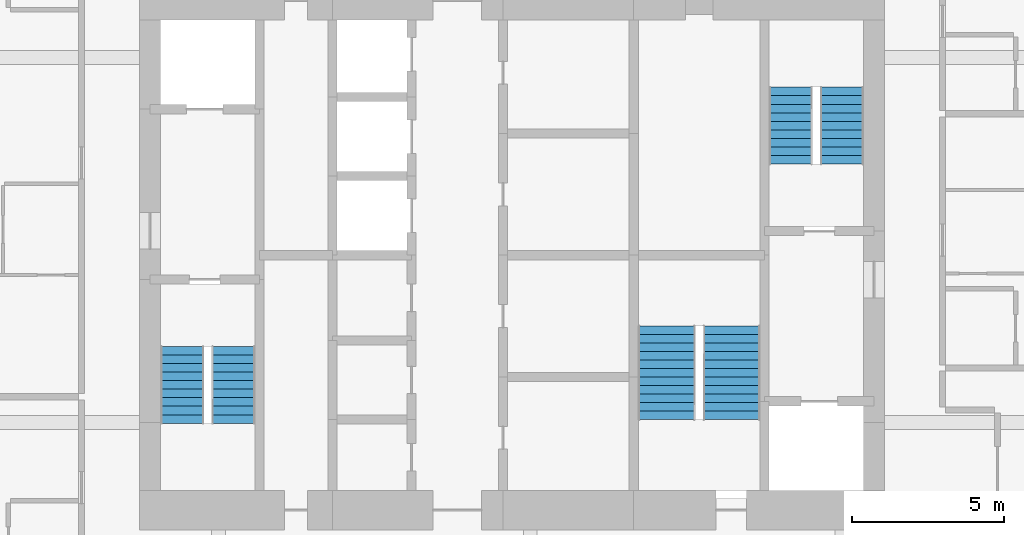
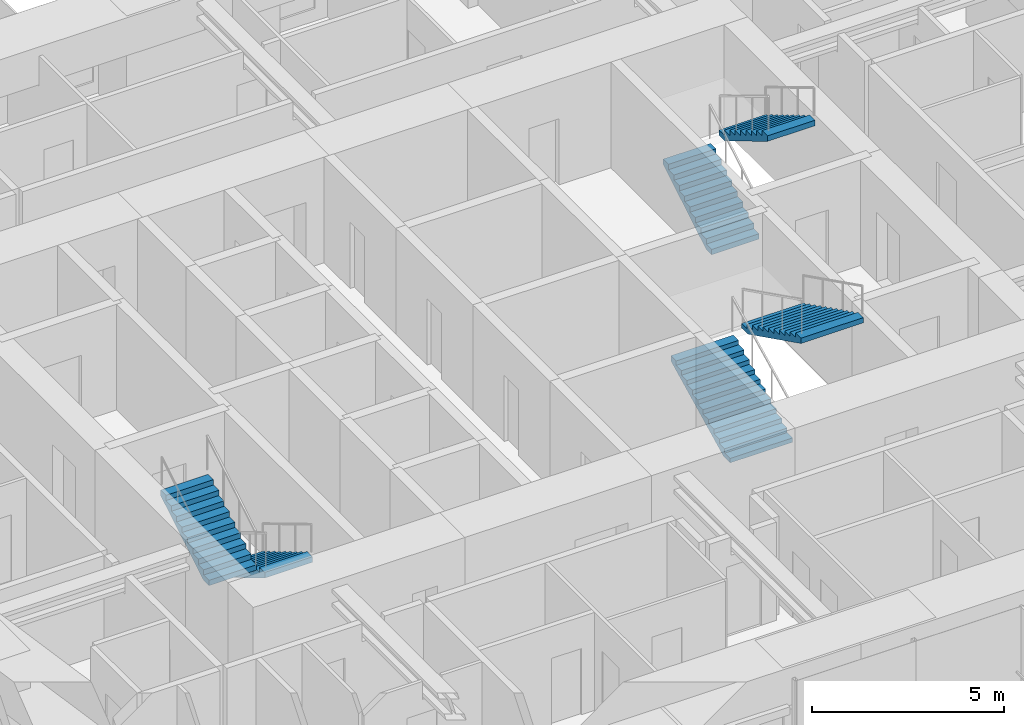
# One storey, part 21 of 22: 6 stair flights, 3 elements without a shape of their own.
"""IFC4 building model written with IfcOpenShell, lengths in metres."""

from ifc_helpers import new_model, si_unit, direction, frame, origin, place, context, subcontext, project, spatial, polyline, outline, extrude, material, type_object, element, aggregate, save


model = new_model("IFC4")

# Units and contexts
model_context = context("Model", 3, precision=1e-05, world=origin(), true_north=direction((0.0, 1.0)))
body_context = subcontext(model_context, "Body", "Model", "MODEL_VIEW")
ifc_project = project(units=[si_unit("LENGTHUNIT", "METRE"), si_unit("AREAUNIT", "SQUARE_METRE"), si_unit("VOLUMEUNIT", "CUBIC_METRE"), si_unit("PLANEANGLEUNIT", "RADIAN"), si_unit("MASSUNIT", "GRAM", prefix="KILO")], contexts=[model_context])

# Site, building, storey
site_placement = place(None, origin())
site = spatial("IfcSite", under=ifc_project, at=site_placement, CompositionType="ELEMENT")
building_placement = place(site_placement, origin())
building = spatial("IfcBuilding", under=site, at=building_placement, Name="Jalousie Tower", CompositionType="ELEMENT")
storey_placement = place(building_placement, frame((0.0, 0.0, 174.449951171875)))
storey = spatial("IfcBuildingStorey", under=building, at=storey_placement, Name="L47", CompositionType="ELEMENT", Elevation=174.449951171875)

# Stair, stair flights
ifc_material_1 = material(Name="Concrete f'c 40 MPa", Category="concrete")
stair_type = type_object("IfcStairType", Name="EXIT STAIR", PredefinedType="HALF_TURN_STAIR", material=ifc_material_1)
stair_1_placement = place(storey_placement, origin())
stair_1 = element("IfcStair", 1, at=stair_1_placement, inside=storey, type_object=stair_type, Name="Exit stair A L47", PredefinedType="HALF_TURN_STAIR")
ifc_material_2 = material(Name="Concrete f'c 40 MPa", Category="concrete")
stair_flight_type = type_object("IfcStairFlightType", Name="STAIR FLIGHT", PredefinedType="STRAIGHT", material=ifc_material_2)
stair_flight_1_placement = place(storey_placement, frame((22.737548828125, 15.49755859375, 0.0), z_axis=(0.0, 0.0, 1.0), x_axis=(0.0, -1.0, 0.0)))
stair_flight_1 = element("IfcStairFlight", 2, at=stair_flight_1_placement, type_object=stair_flight_type, Name="ST-A flight 1", NumberOfRisers=10, NumberOfTreads=9, PredefinedType="STRAIGHT", RiserHeight=0.1675, TreadLength=0.28, context=body_context, shape_type="SweptSolid", body=[
    extrude(outline(polyline([(0.0, 0.0), (0.0, 0.16748046875), (0.280029296875, 0.16748046875), (0.280029296875, 0.3349609375), (0.56005859375, 0.3349609375), (0.56005859375, 0.50244140625), (0.840087890625, 0.50244140625), (0.840087890625, 0.669921875), (1.1201171875, 0.669921875), (1.1201171875, 0.83740234375), (1.39990234375, 0.83740234375), (1.39990234375, 1.0048828125), (1.679931640625, 1.0048828125), (1.679931640625, 1.172607421875), (1.9599609375, 1.172607421875), (1.9599609375, 1.340087890625), (2.239990234375, 1.340087890625), (2.239990234375, 1.507568359375), (2.52001953125, 1.507568359375), (2.52001953125, 1.675048828125), (2.52001953125, 1.332763671875), (0.2919921875, 0.0), (0.0, 0.0)])), frame((0.0, 0.71240234375, 0.0), z_axis=(0.0, -1.0, 0.0), x_axis=(1.0, 0.0, 0.0)), (0.0, 0.0, 1.0), 1.425048828125),
])
stair_flight_2_placement = place(storey_placement, frame((21.0625, 12.9775390625, 1.675048828125), z_axis=(0.0, 0.0, 1.0), x_axis=(0.0, 1.0, 0.0)))
stair_flight_2 = element("IfcStairFlight", 3, at=stair_flight_2_placement, type_object=stair_flight_type, Name="ST-A flight 2", NumberOfRisers=10, NumberOfTreads=9, PredefinedType="STRAIGHT", RiserHeight=0.1675, TreadLength=0.28, context=body_context, shape_type="SweptSolid", body=[
    extrude(outline(polyline([(0.0, 0.0), (0.0, 0.16748046875), (0.280029296875, 0.16748046875), (0.280029296875, 0.3349609375), (0.56005859375, 0.3349609375), (0.56005859375, 0.50244140625), (0.840087890625, 0.50244140625), (0.840087890625, 0.669921875), (1.1201171875, 0.669921875), (1.1201171875, 0.83740234375), (1.39990234375, 0.83740234375), (1.39990234375, 1.0048828125), (1.679931640625, 1.0048828125), (1.679931640625, 1.172607421875), (1.9599609375, 1.172607421875), (1.9599609375, 1.340087890625), (2.239990234375, 1.340087890625), (2.239990234375, 1.507568359375), (2.52001953125, 1.507568359375), (2.52001953125, 1.675048828125), (2.52001953125, 1.332763671875), (0.2919921875, 0.0), (0.0, 0.0)])), frame((0.0, 0.71240234375, 0.0), z_axis=(0.0, -1.0, 0.0), x_axis=(1.0, 0.0, 0.0)), (0.0, 0.0, 1.0), 1.425048828125),
])
aggregate(stair_1, [stair_flight_1, stair_flight_2])

stair_2_placement = place(storey_placement, origin())
stair_2 = element("IfcStair", 4, at=stair_2_placement, inside=storey, type_object=stair_type, Name="Exit stair B L47", PredefinedType="HALF_TURN_STAIR")
stair_flight_3_placement = place(storey_placement, frame((41.0625, 21.50244140625, 0.0), z_axis=(0.0, 0.0, 1.0), x_axis=(0.0, 1.0, 0.0)))
stair_flight_3 = element("IfcStairFlight", 5, at=stair_flight_3_placement, type_object=stair_flight_type, Name="ST-B flight 1", NumberOfRisers=10, NumberOfTreads=9, PredefinedType="STRAIGHT", RiserHeight=0.1675, TreadLength=0.28, context=body_context, shape_type="SweptSolid", body=[
    extrude(outline(polyline([(0.0, 0.0), (0.0, 0.16748046875), (0.280029296875, 0.16748046875), (0.280029296875, 0.3349609375), (0.56005859375, 0.3349609375), (0.56005859375, 0.50244140625), (0.840087890625, 0.50244140625), (0.840087890625, 0.669921875), (1.1201171875, 0.669921875), (1.1201171875, 0.83740234375), (1.39990234375, 0.83740234375), (1.39990234375, 1.0048828125), (1.679931640625, 1.0048828125), (1.679931640625, 1.172607421875), (1.9599609375, 1.172607421875), (1.9599609375, 1.340087890625), (2.239990234375, 1.340087890625), (2.239990234375, 1.507568359375), (2.52001953125, 1.507568359375), (2.52001953125, 1.675048828125), (2.52001953125, 1.332763671875), (0.2919921875, 0.0), (0.0, 0.0)])), frame((0.0, 0.71240234375, 0.0), z_axis=(0.0, -1.0, 0.0), x_axis=(1.0, 0.0, 0.0)), (0.0, 0.0, 1.0), 1.425048828125),
])
stair_flight_4_placement = place(storey_placement, frame((42.737548828125, 24.0224609375, 1.675048828125), z_axis=(0.0, 0.0, 1.0), x_axis=(0.0, -1.0, 0.0)))
stair_flight_4 = element("IfcStairFlight", 6, at=stair_flight_4_placement, type_object=stair_flight_type, Name="ST-B flight 2", NumberOfRisers=10, NumberOfTreads=9, PredefinedType="STRAIGHT", RiserHeight=0.1675, TreadLength=0.28, context=body_context, shape_type="SweptSolid", body=[
    extrude(outline(polyline([(0.0, 0.0), (0.0, 0.16748046875), (0.280029296875, 0.16748046875), (0.280029296875, 0.3349609375), (0.56005859375, 0.3349609375), (0.56005859375, 0.50244140625), (0.840087890625, 0.50244140625), (0.840087890625, 0.669921875), (1.1201171875, 0.669921875), (1.1201171875, 0.83740234375), (1.39990234375, 0.83740234375), (1.39990234375, 1.0048828125), (1.679931640625, 1.0048828125), (1.679931640625, 1.172607421875), (1.9599609375, 1.172607421875), (1.9599609375, 1.340087890625), (2.239990234375, 1.340087890625), (2.239990234375, 1.507568359375), (2.52001953125, 1.507568359375), (2.52001953125, 1.675048828125), (2.52001953125, 1.332763671875), (0.2919921875, 0.0), (0.0, 0.0)])), frame((0.0, 0.71240234375, 0.0), z_axis=(0.0, -1.0, 0.0), x_axis=(1.0, 0.0, 0.0)), (0.0, 0.0, 1.0), 1.425048828125),
])
aggregate(stair_2, [stair_flight_3, stair_flight_4])

stair_3_placement = place(storey_placement, origin())
stair_3 = element("IfcStair", 7, at=stair_3_placement, inside=storey, type_object=stair_type, Name="Exit stair C L47", PredefinedType="HALF_TURN_STAIR")
stair_flight_5_placement = place(storey_placement, frame((36.987548828125, 13.097412109375, 0.0), z_axis=(0.0, 0.0, 1.0), x_axis=(0.0, 1.0, 0.0)))
stair_flight_5 = element("IfcStairFlight", 8, at=stair_flight_5_placement, type_object=stair_flight_type, Name="ST-C flight 1", NumberOfRisers=12, NumberOfTreads=11, PredefinedType="STRAIGHT", RiserHeight=0.139583333, TreadLength=0.28, context=body_context, shape_type="SweptSolid", body=[
    extrude(outline(polyline([(0.0, 0.0), (0.0, 0.1396484375), (0.280029296875, 0.1396484375), (0.280029296875, 0.279052734375), (0.56005859375, 0.279052734375), (0.56005859375, 0.418701171875), (0.840087890625, 0.418701171875), (0.840087890625, 0.558349609375), (1.1201171875, 0.558349609375), (1.1201171875, 0.697998046875), (1.39990234375, 0.697998046875), (1.39990234375, 0.83740234375), (1.679931640625, 0.83740234375), (1.679931640625, 0.97705078125), (1.9599609375, 0.97705078125), (1.9599609375, 1.11669921875), (2.239990234375, 1.11669921875), (2.239990234375, 1.25634765625), (2.52001953125, 1.25634765625), (2.52001953125, 1.395751953125), (2.800048828125, 1.395751953125), (2.800048828125, 1.535400390625), (3.080078125, 1.535400390625), (3.080078125, 1.675048828125), (3.080078125, 1.367919921875), (0.3359375, 0.0), (0.0, 0.0)])), frame((0.0, 0.9375, 0.0), z_axis=(0.0, -1.0, 0.0), x_axis=(1.0, 0.0, 0.0)), (0.0, 0.0, 1.0), 1.875),
])
stair_flight_6_placement = place(storey_placement, frame((39.112548828125, 16.177490234375, 1.675048828125), z_axis=(0.0, 0.0, 1.0), x_axis=(0.0, -1.0, 0.0)))
stair_flight_6 = element("IfcStairFlight", 9, at=stair_flight_6_placement, type_object=stair_flight_type, Name="ST-C flight 2", NumberOfRisers=12, NumberOfTreads=11, PredefinedType="STRAIGHT", RiserHeight=0.139583333, TreadLength=0.28, context=body_context, shape_type="SweptSolid", body=[
    extrude(outline(polyline([(0.0, 0.0), (0.0, 0.1396484375), (0.280029296875, 0.1396484375), (0.280029296875, 0.279052734375), (0.56005859375, 0.279052734375), (0.56005859375, 0.418701171875), (0.840087890625, 0.418701171875), (0.840087890625, 0.558349609375), (1.1201171875, 0.558349609375), (1.1201171875, 0.697998046875), (1.39990234375, 0.697998046875), (1.39990234375, 0.83740234375), (1.679931640625, 0.83740234375), (1.679931640625, 0.97705078125), (1.9599609375, 0.97705078125), (1.9599609375, 1.11669921875), (2.239990234375, 1.11669921875), (2.239990234375, 1.25634765625), (2.52001953125, 1.25634765625), (2.52001953125, 1.395751953125), (2.800048828125, 1.395751953125), (2.800048828125, 1.535400390625), (3.080078125, 1.535400390625), (3.080078125, 1.675048828125), (3.080078125, 1.367919921875), (0.3359375, 0.0), (0.0, 0.0)])), frame((0.0, 0.9375, 0.0), z_axis=(0.0, -1.0, 0.0), x_axis=(1.0, 0.0, 0.0)), (0.0, 0.0, 1.0), 1.875),
])
aggregate(stair_3, [stair_flight_5, stair_flight_6])

save(model, "model.ifc")
